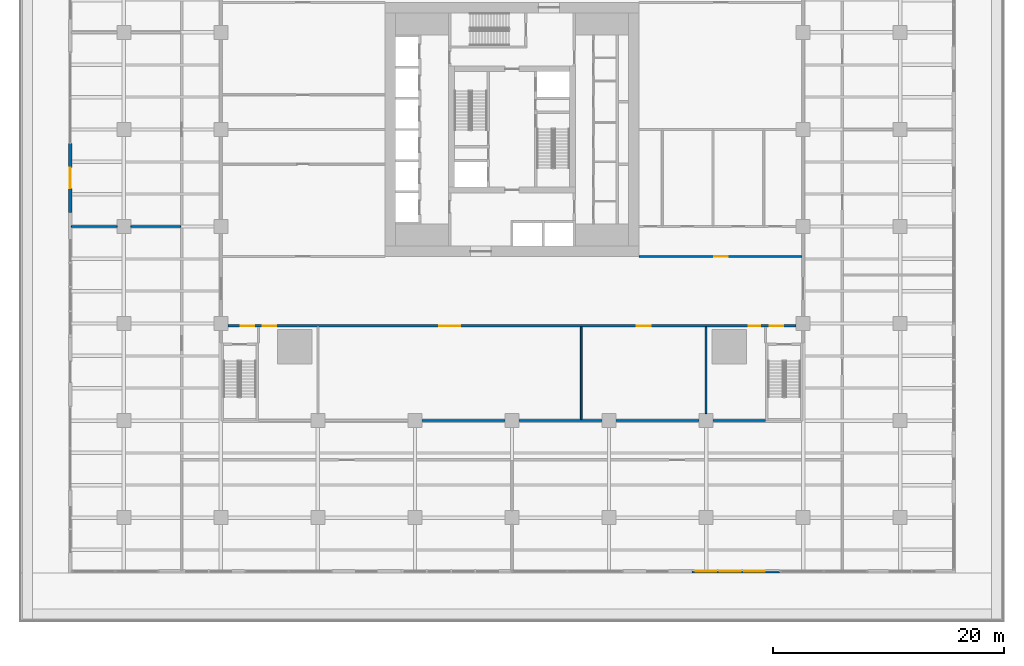
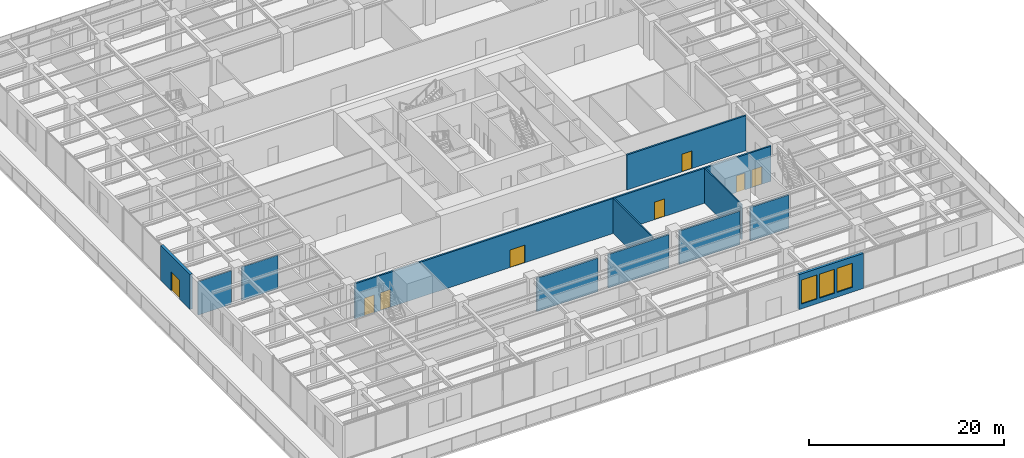
# One storey, part 17 of 32: 12 walls, 8 doors, 3 windows, 11 openings.
"""IFC4 building model written with IfcOpenShell, lengths in metres."""

import ifcopenshell
import ifcopenshell.guid

model = None  # the IFC model being written
_history = None  # IfcOwnerHistory: only IFC2X3 demands one
_inside = {}  # id of a spatial element -> (the spatial element, [elements in it])
_under = {}  # id of a project, library or spatial element -> (it, [spatial elements below it])
_declared = {}  # id of a project -> (the project, [libraries it declares])
_typed = {}  # id of a type object -> (the type object, [elements of that type])
_made_of = {}  # id of a material, layer set ... -> (it, [elements and type objects made of it])


def new_model(schema):
    """Start an empty IFC model of exactly this schema.

    Asked for "IFC4X3", IfcOpenShell would pick the latest addendum, in which some entities
    have other attributes; the version numbers below select the first issue.
    IFC2X3 requires an IfcOwnerHistory on every rooted entity: one is made here for all.
    """
    global model, _history
    if schema == "IFC4X3":
        model = ifcopenshell.file(schema_version=(4, 3, 0, 0))
    else:
        model = ifcopenshell.file(schema=schema)
    _inside.clear()
    _under.clear()
    _declared.clear()
    _typed.clear()
    _made_of.clear()
    _history = None
    if model.schema == "IFC2X3":
        org = make("IfcOrganization", Name="unknown")
        user = make(
            "IfcPersonAndOrganization",
            ThePerson=make("IfcPerson", FamilyName="unknown"),
            TheOrganization=org,
        )
        app = make(
            "IfcApplication",
            ApplicationDeveloper=org,
            Version="unknown",
            ApplicationFullName="unknown",
            ApplicationIdentifier="unknown",
        )
        _history = make(
            "IfcOwnerHistory",
            OwningUser=user,
            OwningApplication=app,
            ChangeAction="ADDED",
            CreationDate=0,
        )
    return model


def make(cls, **values):
    """One entity of the class cls with the attributes given. An attribute that is None is left unset."""
    return model.create_entity(
        cls, **{name: value for name, value in values.items() if value is not None}
    )


def rooted(cls, **values):
    """An entity with a GlobalId (a new one), such as an element, a storey or a relation."""
    return make(cls, GlobalId=ifcopenshell.guid.new(), OwnerHistory=_history, **values)


def si_unit(unit_type, name, prefix=None):
    """IfcSIUnit, for example si_unit("LENGTHUNIT", "METRE", prefix="MILLI")."""
    return make("IfcSIUnit", UnitType=unit_type, Prefix=prefix, Name=name)


def assignment(units):
    """IfcUnitAssignment: the units of a project."""
    return None if units is None else make("IfcUnitAssignment", Units=units)


def point(xyz):
    """IfcCartesianPoint."""
    return None if xyz is None else make("IfcCartesianPoint", Coordinates=xyz)


def direction(xyz):
    """IfcDirection."""
    return None if xyz is None else make("IfcDirection", DirectionRatios=xyz)


def frame(location, z_axis=None, x_axis=None):
    """IfcAxis2Placement3D, a coordinate frame: its origin and axes. An axis left out is left unset."""
    return make(
        "IfcAxis2Placement3D",
        Location=point(location),
        Axis=direction(z_axis),
        RefDirection=direction(x_axis),
    )


def frame_2d(location, x_axis=None):
    """IfcAxis2Placement2D, a coordinate frame in the plane: its origin and x axis."""
    return make(
        "IfcAxis2Placement2D", Location=point(location), RefDirection=direction(x_axis)
    )


def origin():
    """The frame at (0, 0, 0) with its axes left unset."""
    return frame((0.0, 0.0, 0.0))


def place(relative_to, where):
    """IfcLocalPlacement: puts the frame where relative to a parent placement (None: the world)."""
    return make(
        "IfcLocalPlacement", PlacementRelTo=relative_to, RelativePlacement=where
    )


def context(
    kind, dimensions, precision=None, world=None, true_north=None, identifier=None
):
    """IfcGeometricRepresentationContext, for example the 3D "Model" context."""
    return make(
        "IfcGeometricRepresentationContext",
        ContextIdentifier=identifier,
        ContextType=kind,
        CoordinateSpaceDimension=dimensions,
        Precision=precision,
        WorldCoordinateSystem=world,
        TrueNorth=true_north,
    )


def subcontext(parent, identifier, kind, view, scale=None):
    """IfcGeometricRepresentationSubContext, for example "Body" below "Model"."""
    return make(
        "IfcGeometricRepresentationSubContext",
        ContextIdentifier=identifier,
        ContextType=kind,
        ParentContext=parent,
        TargetScale=scale,
        TargetView=view,
    )


def project(units=None, contexts=None):
    """IfcProject with its units and contexts."""
    return rooted(
        "IfcProject",
        Name="project",
        RepresentationContexts=contexts,
        UnitsInContext=assignment(units),
    )


def spatial(cls, under=None, at=None, **own):
    """A site, building, storey or space (cls), placed at a placement, below another one or the project."""
    s = rooted(cls, ObjectPlacement=at, **own)
    if under is not None:
        _under.setdefault(under.id(), (under, []))[1].append(s)
    return s


def profile(cls, at=None, kind="AREA", **sizes):
    """A parametric profile (cls). Its sizes go by their IFC names, for example OverallWidth=200.0."""
    return make(cls, ProfileType=kind, Position=at, **sizes)


def rectangle(**sizes):
    """IfcRectangleProfileDef."""
    return profile("IfcRectangleProfileDef", **sizes)


def extrude(swept, where, along, depth):
    """IfcExtrudedAreaSolid: the profile swept, set in the frame where, extruded along a direction by depth."""
    return make(
        "IfcExtrudedAreaSolid",
        SweptArea=swept,
        Position=where,
        ExtrudedDirection=direction(along),
        Depth=depth,
    )


def shape(context_of_items, identifier, shape_type, items):
    """IfcShapeRepresentation: the items that make up one representation, for example the "Body"."""
    return make(
        "IfcShapeRepresentation",
        ContextOfItems=context_of_items,
        RepresentationIdentifier=identifier,
        RepresentationType=shape_type,
        Items=items,
    )


def material(Name=None, Category=None):
    """IfcMaterial."""
    return make("IfcMaterial", Name=Name, Category=Category)


def layer(
    of_material, thickness, ventilated=None, Name=None, Category=None, Priority=None
):
    """IfcMaterialLayer: one layer of a wall or slab, of a material (None: an air gap)."""
    return make(
        "IfcMaterialLayer",
        Material=of_material,
        LayerThickness=thickness,
        IsVentilated=ventilated,
        Name=Name,
        Category=Category,
        Priority=Priority,
    )


def layer_set(layers, Name=None):
    """IfcMaterialLayerSet."""
    return make("IfcMaterialLayerSet", MaterialLayers=layers, LayerSetName=Name)


def made_of(thing, what):
    """Note that an element or type object is made of a material, layer set ...; save() writes the relation."""
    if what is not None:
        _made_of.setdefault(what.id(), (what, []))[1].append(thing)
    return thing


def type_object(cls, material=None, **own):
    """A type object (cls), such as IfcWallType, which elements share."""
    return made_of(rooted(cls, **own), material)


def element(
    cls,
    number,
    at=None,
    inside=None,
    cuts=None,
    type_object=None,
    material=None,
    context=None,
    identifier="Body",
    shape_type=None,
    held_by="IfcProductDefinitionShape",
    body=None,
    shapes=None,
    **own,
):
    """One element of the class cls, such as IfcWall. Its Tag is "e" and its number.

    at: its placement. inside: the storey or other place that contains it. cuts: it is an
    opening in that element (IfcRelVoidsElement). A single representation is given by context,
    identifier, shape_type and body (its items); several are given by shapes. held_by: the class
    of the entity that holds the representations. save() writes the other relations.
    """
    e = rooted(cls, Tag="e%d" % number, ObjectPlacement=at, **own)
    if body is not None:
        shapes = [shape(context, identifier, shape_type, body)]
    if shapes is not None:
        e.Representation = make(held_by, Representations=shapes)
    if inside is not None:
        _inside.setdefault(inside.id(), (inside, []))[1].append(e)
    if cuts is not None:
        rooted(
            "IfcRelVoidsElement", RelatingBuildingElement=cuts, RelatedOpeningElement=e
        )
    if type_object is not None:
        _typed.setdefault(type_object.id(), (type_object, []))[1].append(e)
    return made_of(e, material)


def fill(opening, filler):
    """IfcRelFillsElement: the door or window that sits in an opening."""
    return rooted(
        "IfcRelFillsElement",
        RelatingOpeningElement=opening,
        RelatedBuildingElement=filler,
    )


def aggregate(whole, parts):
    """IfcRelAggregates: a whole, such as a stair, and the parts it consists of."""
    return rooted("IfcRelAggregates", RelatingObject=whole, RelatedObjects=parts)


def save(model, path):
    """Write the relations noted so far, then the file.

    IfcRelAggregates (storeys below a building ...), IfcRelContainedInSpatialStructure (elements
    in a storey), IfcRelDefinesByType, IfcRelAssociatesMaterial and IfcRelDeclares: one each for
    every whole, place, type object, material and project.
    """
    for whole, parts in _under.values():
        aggregate(whole, parts)
    for where, things in _inside.values():
        rooted(
            "IfcRelContainedInSpatialStructure",
            RelatedElements=things,
            RelatingStructure=where,
        )
    for kind, things in _typed.values():
        rooted("IfcRelDefinesByType", RelatedObjects=things, RelatingType=kind)
    for what, things in _made_of.values():
        rooted("IfcRelAssociatesMaterial", RelatedObjects=things, RelatingMaterial=what)
    for by, libraries in _declared.values():
        rooted("IfcRelDeclares", RelatingContext=by, RelatedDefinitions=libraries)
    model.write(path)


model = new_model("IFC4")

# Units and contexts
model_context = context("Model", 3, precision=1e-05, world=origin(), true_north=direction((0.0, 1.0)))
body_context = subcontext(model_context, "Body", "Model", "MODEL_VIEW")
ifc_project = project(units=[si_unit("LENGTHUNIT", "METRE"), si_unit("AREAUNIT", "SQUARE_METRE"), si_unit("VOLUMEUNIT", "CUBIC_METRE"), si_unit("PLANEANGLEUNIT", "RADIAN"), si_unit("MASSUNIT", "GRAM", prefix="KILO")], contexts=[model_context])

# Site, building, storey
site_placement = place(None, origin())
site = spatial("IfcSite", under=ifc_project, at=site_placement, CompositionType="ELEMENT")
building_placement = place(site_placement, origin())
building = spatial("IfcBuilding", under=site, at=building_placement, Name="Khepri Terraces", CompositionType="ELEMENT")
storey_placement = place(building_placement, frame((0.0, 0.0, 12.0)))
storey = spatial("IfcBuildingStorey", under=building, at=storey_placement, Name="L02", CompositionType="ELEMENT", Elevation=12.0)

# Wall, openings, windows
ifc_material_1 = material(Name="Precast concrete C50/60 warm stone", Category="masonry")
ifc_layer_1 = layer(ifc_material_1, 0.300048828125, Name="Precast concrete C50/60 warm stone", Category="masonry")
ifc_layer_set_1 = layer_set([ifc_layer_1], Name="Precast concrete C50/60 warm stone")
wall_type_1 = type_object("IfcWallType", Name="WL-EXT-PRECAST-300", PredefinedType="STANDARD", material=ifc_layer_set_1)
wall_1_placement = place(storey_placement, frame((15.60009765625, -38.25, 0.0), z_axis=(0.0, 0.0, 1.0), x_axis=(1.0, 0.0, 0.0)))
wall_1 = element("IfcWall", 1, at=wall_1_placement, inside=storey, type_object=wall_type_1, Name="External wall L02 S", PredefinedType="STANDARD", context=body_context, shape_type="SweptSolid", body=[
    extrude(rectangle(XDim=7.599853515625, YDim=0.300048828125, at=frame_2d((3.7998046875, 0.0))), origin(), (0.0, 0.0, 1.0), 4.3798828125),
])
opening_1_placement = place(wall_1_placement, frame((0.300048828125, 0.0, 0.60009765625)))
opening_1 = element("IfcOpeningElement", 2, at=opening_1_placement, cuts=wall_1, Name="Opening WP1", PredefinedType="OPENING", context=body_context, shape_type="SweptSolid", body=[
    extrude(rectangle(XDim=1.800048828125, YDim=3.0, at=frame_2d((0.89990234375, 1.5))), frame((0.0, 0.16015625, 0.0), z_axis=(0.0, -1.0, 0.0), x_axis=(1.0, 0.0, 0.0)), (0.0, 0.0, 1.0), 0.320068359375),
])
opening_2_placement = place(wall_1_placement, frame((2.39990234375, 0.0, 0.60009765625)))
opening_2 = element("IfcOpeningElement", 3, at=opening_2_placement, cuts=wall_1, Name="Opening WP1", PredefinedType="OPENING", context=body_context, shape_type="SweptSolid", body=[
    extrude(rectangle(XDim=1.800048828125, YDim=3.0, at=frame_2d((0.89990234375, 1.5))), frame((0.0, 0.16015625, 0.0), z_axis=(0.0, -1.0, 0.0), x_axis=(1.0, 0.0, 0.0)), (0.0, 0.0, 1.0), 0.320068359375),
])
opening_3_placement = place(wall_1_placement, frame((4.5, 0.0, 0.60009765625)))
opening_3 = element("IfcOpeningElement", 4, at=opening_3_placement, cuts=wall_1, Name="Opening WP1", PredefinedType="OPENING", context=body_context, shape_type="SweptSolid", body=[
    extrude(rectangle(XDim=1.800048828125, YDim=3.0, at=frame_2d((0.89990234375, 1.5))), frame((0.0, 0.16015625, 0.0), z_axis=(0.0, -1.0, 0.0), x_axis=(1.0, 0.0, 0.0)), (0.0, 0.0, 1.0), 0.320068359375),
])
ifc_material_2 = material(Name="Clear glass", Category="glass")
window_type = type_object("IfcWindowType", Name="WIN-POD-1800x3000", PartitioningType="SINGLE_PANEL", PredefinedType="WINDOW", material=ifc_material_2)
window_1_placement = place(opening_1_placement, origin())
window_1 = element("IfcWindow", 5, at=window_1_placement, inside=storey, type_object=window_type, Name="Window L02 S", OverallHeight=3.0, OverallWidth=1.800048828125, PartitioningType="SINGLE_PANEL", PredefinedType="WINDOW", context=body_context, shape_type="SweptSolid", body=[
    extrude(rectangle(XDim=1.800048828125, YDim=3.0, at=frame_2d((0.89990234375, 1.5))), frame((0.0, 0.030029296875, 0.0), z_axis=(0.0, -1.0, 0.0), x_axis=(1.0, 0.0, 0.0)), (0.0, 0.0, 1.0), 0.06005859375),
])
fill(opening_1, window_1)
window_2_placement = place(opening_2_placement, origin())
window_2 = element("IfcWindow", 6, at=window_2_placement, inside=storey, type_object=window_type, Name="Window L02 S", OverallHeight=3.0, OverallWidth=1.800048828125, PartitioningType="SINGLE_PANEL", PredefinedType="WINDOW", context=body_context, shape_type="SweptSolid", body=[
    extrude(rectangle(XDim=1.800048828125, YDim=3.0, at=frame_2d((0.89990234375, 1.5))), frame((0.0, 0.030029296875, 0.0), z_axis=(0.0, -1.0, 0.0), x_axis=(1.0, 0.0, 0.0)), (0.0, 0.0, 1.0), 0.06005859375),
])
fill(opening_2, window_2)
window_3_placement = place(opening_3_placement, origin())
window_3 = element("IfcWindow", 7, at=window_3_placement, inside=storey, type_object=window_type, Name="Window L02 S", OverallHeight=3.0, OverallWidth=1.800048828125, PartitioningType="SINGLE_PANEL", PredefinedType="WINDOW", context=body_context, shape_type="SweptSolid", body=[
    extrude(rectangle(XDim=1.800048828125, YDim=3.0, at=frame_2d((0.89990234375, 1.5))), frame((0.0, 0.030029296875, 0.0), z_axis=(0.0, -1.0, 0.0), x_axis=(1.0, 0.0, 0.0)), (0.0, 0.0, 1.0), 0.06005859375),
])
fill(opening_3, window_3)

# Wall, opening, door
wall_2_placement = place(storey_placement, frame((-38.25, -1.199951171875, 0.0), z_axis=(0.0, 0.0, 1.0), x_axis=(0.0, -1.0, 0.0)))
wall_2 = element("IfcWall", 8, at=wall_2_placement, inside=storey, type_object=wall_type_1, Name="External wall L02 W", PredefinedType="STANDARD", context=body_context, shape_type="SweptSolid", body=[
    extrude(rectangle(XDim=6.0, YDim=0.300048828125, at=frame_2d((3.0, 0.0))), origin(), (0.0, 0.0, 1.0), 4.3798828125),
])
opening_4_placement = place(wall_2_placement, frame((2.10009765625, 0.0, 0.0)))
opening_4 = element("IfcOpeningElement", 9, at=opening_4_placement, cuts=wall_2, Name="Opening ED-L02-11", PredefinedType="OPENING", context=body_context, shape_type="SweptSolid", body=[
    extrude(rectangle(XDim=1.800048828125, YDim=2.39990234375, at=frame_2d((0.89990234375, 1.199951171875))), frame((0.0, 0.16015625, 0.0), z_axis=(0.0, -1.0, 0.0), x_axis=(1.0, 0.0, 0.0)), (0.0, 0.0, 1.0), 0.320068359375),
])
ifc_material_3 = material(Name="Anodised aluminium bronze glazed door", Category="aluminium")
door_type_1 = type_object("IfcDoorType", Name="DR-BAL-SLIDE-1800x2400", OperationType="NOTDEFINED", PredefinedType="DOOR", material=ifc_material_3)
door_1_placement = place(opening_4_placement, origin())
door_1 = element("IfcDoor", 10, at=door_1_placement, inside=storey, type_object=door_type_1, Name="Balcony door L02 W", OperationType="SLIDING_TO_LEFT", OverallHeight=2.39990234375, OverallWidth=1.800048828125, PredefinedType="DOOR", context=body_context, shape_type="SweptSolid", body=[
    extrude(rectangle(XDim=1.800048828125, YDim=2.39990234375, at=frame_2d((0.89990234375, 1.199951171875))), frame((0.0, 0.02490234375, 0.0), z_axis=(0.0, -1.0, 0.0), x_axis=(1.0, 0.0, 0.0)), (0.0, 0.0, 1.0), 0.050048828125),
])
fill(opening_4, door_1)

# Walls
ifc_material_4 = material(Name="Gypsum board partition")
ifc_layer_2 = layer(ifc_material_4, 0.14990234375, Name="Gypsum board partition")
ifc_layer_set_2 = layer_set([ifc_layer_2], Name="Gypsum board partition")
wall_type_2 = type_object("IfcWallType", Name="WL-POD-150", PredefinedType="PARTITIONING", material=ifc_layer_set_2)
wall_3_placement = place(storey_placement, frame((-38.14990234375, -8.39990234375, 0.0), z_axis=(0.0, 0.0, 1.0), x_axis=(1.0, 0.0, 0.0)))
element("IfcWall", 11, at=wall_3_placement, inside=storey, type_object=wall_type_2, Name="Partition L02-PW012", PredefinedType="PARTITIONING", context=body_context, shape_type="SweptSolid", body=[
    extrude(rectangle(XDim=3.949951171875, YDim=0.14990234375, at=frame_2d((1.97509765625, 0.0))), origin(), (0.0, 0.0, 1.0), 4.179931640625),
])
wall_4_placement = place(storey_placement, frame((-33.0, -8.39990234375, 0.0), z_axis=(0.0, 0.0, 1.0), x_axis=(1.0, 0.0, 0.0)))
element("IfcWall", 12, at=wall_4_placement, inside=storey, type_object=wall_type_2, Name="Partition L02-PW013", PredefinedType="PARTITIONING", context=body_context, shape_type="SweptSolid", body=[
    extrude(rectangle(XDim=4.300048828125, YDim=0.14990234375, at=frame_2d((2.14990234375, 0.0))), origin(), (0.0, 0.0, 1.0), 4.179931640625),
])
wall_5_placement = place(storey_placement, frame((6.0, -25.10009765625, 0.0), z_axis=(0.0, 0.0, 1.0), x_axis=(0.0, 1.0, 0.0)))
element("IfcWall", 13, at=wall_5_placement, inside=storey, type_object=wall_type_2, Name="Partition L02-PW054", PredefinedType="PARTITIONING", context=body_context, shape_type="SweptSolid", body=[
    extrude(rectangle(XDim=8.0, YDim=0.14990234375, at=frame_2d((4.0, 0.0))), origin(), (0.0, 0.0, 1.0), 4.3798828125),
])
wall_6_placement = place(storey_placement, frame((16.800048828125, -24.60009765625, 0.0), z_axis=(0.0, 0.0, 1.0), x_axis=(0.0, 1.0, 0.0)))
element("IfcWall", 14, at=wall_6_placement, inside=storey, type_object=wall_type_2, Name="Partition L02-PW056", PredefinedType="PARTITIONING", context=body_context, shape_type="SweptSolid", body=[
    extrude(rectangle(XDim=7.5, YDim=0.14990234375, at=frame_2d((3.75, 0.0))), origin(), (0.0, 0.0, 1.0), 4.3798828125),
])
ifc_material_5 = material(Name="Fire-rated block wall")
ifc_layer_3 = layer(ifc_material_5, 0.199951171875, Name="Fire-rated block wall")
ifc_layer_set_3 = layer_set([ifc_layer_3], Name="Fire-rated block wall")
wall_type_3 = type_object("IfcWallType", Name="WL-POD-200-EI60", PredefinedType="PARTITIONING", material=ifc_layer_set_3)
for number, where, z_axis, x_axis, name in (
    (15, (-7.800048828125, -25.199951171875, 0.0), (0.0, 0.0, 1.0), (1.0, 0.0, 0.0), "Partition L02-PW004"),
    (16, (0.60009765625, -25.199951171875, 0.0), (0.0, 0.0, 1.0), (1.0, 0.0, 0.0), "Partition L02-PW005"),
    (17, (9.0, -25.199951171875, 0.0), (0.0, 0.0, 1.0), (1.0, 0.0, 0.0), "Partition L02-PW006"),
):
    element("IfcWall", number, at=place(storey_placement, frame(where, z_axis=z_axis, x_axis=x_axis)), inside=storey, type_object=wall_type_3, Name=name, PredefinedType="PARTITIONING", context=body_context, shape_type="SweptSolid", body=[
        extrude(rectangle(XDim=7.199951171875, YDim=0.199951171875, at=frame_2d((3.60009765625, 0.0))), origin(), (0.0, 0.0, 1.0), 4.179931640625),
    ])
wall_7_placement = place(storey_placement, frame((17.39990234375, -25.199951171875, 0.0), z_axis=(0.0, 0.0, 1.0), x_axis=(1.0, 0.0, 0.0)))
element("IfcWall", 18, at=wall_7_placement, inside=storey, type_object=wall_type_3, Name="Partition L02-PW007", PredefinedType="PARTITIONING", context=body_context, shape_type="SweptSolid", body=[
    extrude(rectangle(XDim=4.550048828125, YDim=0.199951171875, at=frame_2d((2.27490234375, 0.0))), origin(), (0.0, 0.0, 1.0), 4.179931640625),
])

# Wall, openings, doors
wall_8_placement = place(storey_placement, frame((-24.60009765625, -17.0, 0.0), z_axis=(0.0, 0.0, 1.0), x_axis=(1.0, 0.0, 0.0)))
wall_8 = element("IfcWall", 19, at=wall_8_placement, inside=storey, type_object=wall_type_3, Name="Partition L02-PW008", PredefinedType="PARTITIONING", context=body_context, shape_type="SweptSolid", body=[
    extrude(rectangle(XDim=49.2001953125, YDim=0.199951171875, at=frame_2d((24.60009765625, 0.0))), origin(), (0.0, 0.0, 1.0), 4.3798828125),
])
opening_5_placement = place(wall_8_placement, frame((1.10009765625, 0.0, 0.0)))
opening_5 = element("IfcOpeningElement", 20, at=opening_5_placement, cuts=wall_8, Name="Opening L02-P05", PredefinedType="OPENING", context=body_context, shape_type="SweptSolid", body=[
    extrude(rectangle(XDim=1.199951171875, YDim=2.199951171875, at=frame_2d((0.60009765625, 1.10009765625))), frame((0.0, 0.10986328125, 0.0), z_axis=(0.0, -1.0, 0.0), x_axis=(1.0, 0.0, 0.0)), (0.0, 0.0, 1.0), 0.219970703125),
])
opening_6_placement = place(wall_8_placement, frame((3.0, 0.0, 0.0)))
opening_6 = element("IfcOpeningElement", 21, at=opening_6_placement, cuts=wall_8, Name="Opening L02-P06", PredefinedType="OPENING", context=body_context, shape_type="SweptSolid", body=[
    extrude(rectangle(XDim=1.199951171875, YDim=2.199951171875, at=frame_2d((0.60009765625, 1.10009765625))), frame((0.0, 0.10986328125, 0.0), z_axis=(0.0, -1.0, 0.0), x_axis=(1.0, 0.0, 0.0)), (0.0, 0.0, 1.0), 0.219970703125),
])
opening_7_placement = place(wall_8_placement, frame((18.300048828125, 0.0, 0.0)))
opening_7 = element("IfcOpeningElement", 22, at=opening_7_placement, cuts=wall_8, Name="Opening L02-P07", PredefinedType="OPENING", context=body_context, shape_type="SweptSolid", body=[
    extrude(rectangle(XDim=1.800048828125, YDim=2.199951171875, at=frame_2d((0.89990234375, 1.10009765625))), frame((0.0, 0.10986328125, 0.0), z_axis=(0.0, -1.0, 0.0), x_axis=(1.0, 0.0, 0.0)), (0.0, 0.0, 1.0), 0.219970703125),
])
opening_8_placement = place(wall_8_placement, frame((35.39990234375, 0.0, 0.0)))
opening_8 = element("IfcOpeningElement", 23, at=opening_8_placement, cuts=wall_8, Name="Opening L02-P08", PredefinedType="OPENING", context=body_context, shape_type="SweptSolid", body=[
    extrude(rectangle(XDim=1.199951171875, YDim=2.199951171875, at=frame_2d((0.60009765625, 1.10009765625))), frame((0.0, 0.10986328125, 0.0), z_axis=(0.0, -1.0, 0.0), x_axis=(1.0, 0.0, 0.0)), (0.0, 0.0, 1.0), 0.219970703125),
])
opening_9_placement = place(wall_8_placement, frame((45.10009765625, 0.0, 0.0)))
opening_9 = element("IfcOpeningElement", 24, at=opening_9_placement, cuts=wall_8, Name="Opening L02-P09", PredefinedType="OPENING", context=body_context, shape_type="SweptSolid", body=[
    extrude(rectangle(XDim=1.0, YDim=2.10009765625, at=frame_2d((0.5, 1.050048828125))), frame((0.0, 0.10986328125, 0.0), z_axis=(0.0, -1.0, 0.0), x_axis=(1.0, 0.0, 0.0)), (0.0, 0.0, 1.0), 0.219970703125),
])
opening_10_placement = place(wall_8_placement, frame((46.89990234375, 0.0, 0.0)))
opening_10 = element("IfcOpeningElement", 25, at=opening_10_placement, cuts=wall_8, Name="Opening L02-P10", PredefinedType="OPENING", context=body_context, shape_type="SweptSolid", body=[
    extrude(rectangle(XDim=1.199951171875, YDim=2.199951171875, at=frame_2d((0.60009765625, 1.10009765625))), frame((0.0, 0.10986328125, 0.0), z_axis=(0.0, -1.0, 0.0), x_axis=(1.0, 0.0, 0.0)), (0.0, 0.0, 1.0), 0.219970703125),
])
ifc_material_6 = material(Name="Painted steel", Category="steel")
door_type_2 = type_object("IfcDoorType", Name="DR-POD-FIRE-1200", OperationType="NOTDEFINED", PredefinedType="DOOR", material=ifc_material_6)
door_2_placement = place(opening_5_placement, origin())
door_2 = element("IfcDoor", 26, at=door_2_placement, inside=storey, type_object=door_type_2, Name="Fire door L02-P05", OperationType="SINGLE_SWING_LEFT", OverallHeight=2.199951171875, OverallWidth=1.199951171875, PredefinedType="DOOR", context=body_context, shape_type="SweptSolid", body=[
    extrude(rectangle(XDim=1.199951171875, YDim=2.199951171875, at=frame_2d((0.60009765625, 1.10009765625))), frame((0.0, 0.02490234375, 0.0), z_axis=(0.0, -1.0, 0.0), x_axis=(1.0, 0.0, 0.0)), (0.0, 0.0, 1.0), 0.050048828125),
])
fill(opening_5, door_2)
door_3_placement = place(opening_10_placement, origin())
door_3 = element("IfcDoor", 27, at=door_3_placement, inside=storey, type_object=door_type_2, Name="Fire door L02-P10", OperationType="SINGLE_SWING_RIGHT", OverallHeight=2.199951171875, OverallWidth=1.199951171875, PredefinedType="DOOR", context=body_context, shape_type="SweptSolid", body=[
    extrude(rectangle(XDim=1.199951171875, YDim=2.199951171875, at=frame_2d((0.60009765625, 1.10009765625))), frame((0.0, 0.02490234375, 0.0), z_axis=(0.0, -1.0, 0.0), x_axis=(1.0, 0.0, 0.0)), (0.0, 0.0, 1.0), 0.050048828125),
])
fill(opening_10, door_3)
ifc_material_7 = material(Name="Glazed aluminium", Category="aluminium")
door_type_3 = type_object("IfcDoorType", Name="DR-POD-PAIR-1800", OperationType="DOUBLE_DOOR_SINGLE_SWING", PredefinedType="DOOR", material=ifc_material_7)
door_4_placement = place(opening_7_placement, origin())
door_4 = element("IfcDoor", 28, at=door_4_placement, inside=storey, type_object=door_type_3, Name="Double door L02-P07", OperationType="DOUBLE_DOOR_SINGLE_SWING", OverallHeight=2.199951171875, OverallWidth=1.800048828125, PredefinedType="DOOR", context=body_context, shape_type="SweptSolid", body=[
    extrude(rectangle(XDim=1.800048828125, YDim=2.199951171875, at=frame_2d((0.89990234375, 1.10009765625))), frame((0.0, 0.02490234375, 0.0), z_axis=(0.0, -1.0, 0.0), x_axis=(1.0, 0.0, 0.0)), (0.0, 0.0, 1.0), 0.050048828125),
])
fill(opening_7, door_4)
door_type_4 = type_object("IfcDoorType", Name="DR-POD-PLANT-1200", OperationType="NOTDEFINED", PredefinedType="DOOR", material=ifc_material_6)
door_5_placement = place(opening_6_placement, origin())
door_5 = element("IfcDoor", 29, at=door_5_placement, inside=storey, type_object=door_type_4, Name="Plant room door L02-P06", OperationType="SINGLE_SWING_RIGHT", OverallHeight=2.199951171875, OverallWidth=1.199951171875, PredefinedType="DOOR", context=body_context, shape_type="SweptSolid", body=[
    extrude(rectangle(XDim=1.199951171875, YDim=2.199951171875, at=frame_2d((0.60009765625, 1.10009765625))), frame((0.0, 0.02490234375, 0.0), z_axis=(0.0, -1.0, 0.0), x_axis=(1.0, 0.0, 0.0)), (0.0, 0.0, 1.0), 0.050048828125),
])
fill(opening_6, door_5)
ifc_material_8 = material(Name="Timber veneer", Category="wood")
door_type_5 = type_object("IfcDoorType", Name="DR-POD-SINGLE-1000", OperationType="NOTDEFINED", PredefinedType="DOOR", material=ifc_material_8)
door_6_placement = place(opening_9_placement, origin())
door_6 = element("IfcDoor", 30, at=door_6_placement, inside=storey, type_object=door_type_5, Name="Door L02-P09", OperationType="SINGLE_SWING_LEFT", OverallHeight=2.10009765625, OverallWidth=1.0, PredefinedType="DOOR", context=body_context, shape_type="SweptSolid", body=[
    extrude(rectangle(XDim=1.0, YDim=2.10009765625, at=frame_2d((0.5, 1.050048828125))), frame((0.0, 0.02490234375, 0.0), z_axis=(0.0, -1.0, 0.0), x_axis=(1.0, 0.0, 0.0)), (0.0, 0.0, 1.0), 0.050048828125),
])
fill(opening_9, door_6)
door_type_6 = type_object("IfcDoorType", Name="DR-POD-SINGLE-1200", OperationType="NOTDEFINED", PredefinedType="DOOR", material=ifc_material_8)
door_7_placement = place(opening_8_placement, origin())
door_7 = element("IfcDoor", 31, at=door_7_placement, inside=storey, type_object=door_type_6, Name="Door L02-P08", OperationType="SINGLE_SWING_LEFT", OverallHeight=2.199951171875, OverallWidth=1.199951171875, PredefinedType="DOOR", context=body_context, shape_type="SweptSolid", body=[
    extrude(rectangle(XDim=1.199951171875, YDim=2.199951171875, at=frame_2d((0.60009765625, 1.10009765625))), frame((0.0, 0.02490234375, 0.0), z_axis=(0.0, -1.0, 0.0), x_axis=(1.0, 0.0, 0.0)), (0.0, 0.0, 1.0), 0.050048828125),
])
fill(opening_8, door_7)

# Wall, opening, door
wall_9_placement = place(storey_placement, frame((11.0, -11.0, 0.0), z_axis=(0.0, 0.0, 1.0), x_axis=(1.0, 0.0, 0.0)))
wall_9 = element("IfcWall", 32, at=wall_9_placement, inside=storey, type_object=wall_type_3, Name="Partition L02-PW011", PredefinedType="PARTITIONING", context=body_context, shape_type="SweptSolid", body=[
    extrude(rectangle(XDim=14.10009765625, YDim=0.199951171875, at=frame_2d((7.050048828125, 0.0))), origin(), (0.0, 0.0, 1.0), 4.3798828125),
])
opening_11_placement = place(wall_9_placement, frame((6.5, 0.0, 0.0)))
opening_11 = element("IfcOpeningElement", 33, at=opening_11_placement, cuts=wall_9, Name="Opening L02-P14", PredefinedType="OPENING", context=body_context, shape_type="SweptSolid", body=[
    extrude(rectangle(XDim=1.199951171875, YDim=2.199951171875, at=frame_2d((0.60009765625, 1.10009765625))), frame((0.0, 0.10986328125, 0.0), z_axis=(0.0, -1.0, 0.0), x_axis=(1.0, 0.0, 0.0)), (0.0, 0.0, 1.0), 0.219970703125),
])
door_8_placement = place(opening_11_placement, origin())
door_8 = element("IfcDoor", 34, at=door_8_placement, inside=storey, type_object=door_type_6, Name="Door L02-P14", OperationType="SINGLE_SWING_RIGHT", OverallHeight=2.199951171875, OverallWidth=1.199951171875, PredefinedType="DOOR", context=body_context, shape_type="SweptSolid", body=[
    extrude(rectangle(XDim=1.199951171875, YDim=2.199951171875, at=frame_2d((0.60009765625, 1.10009765625))), frame((0.0, 0.02490234375, 0.0), z_axis=(0.0, -1.0, 0.0), x_axis=(1.0, 0.0, 0.0)), (0.0, 0.0, 1.0), 0.050048828125),
])
fill(opening_11, door_8)

save(model, "model.ifc")
